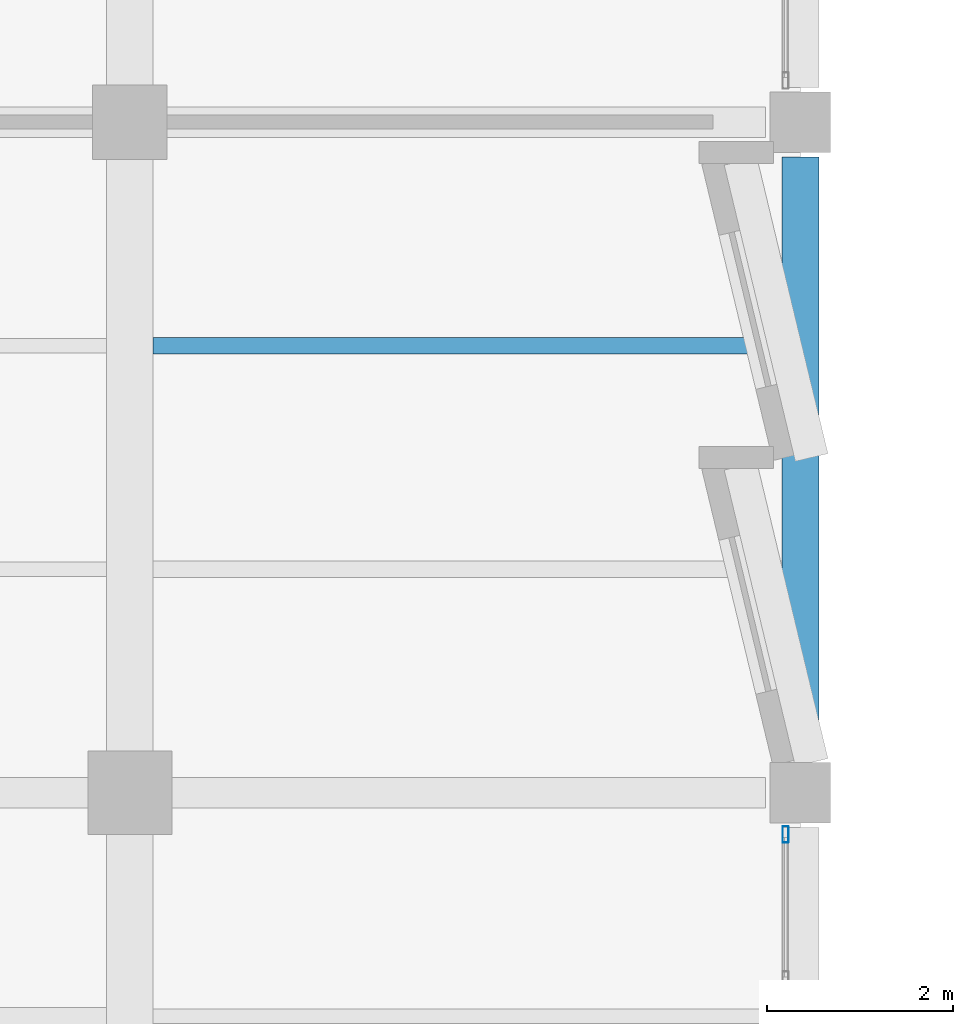
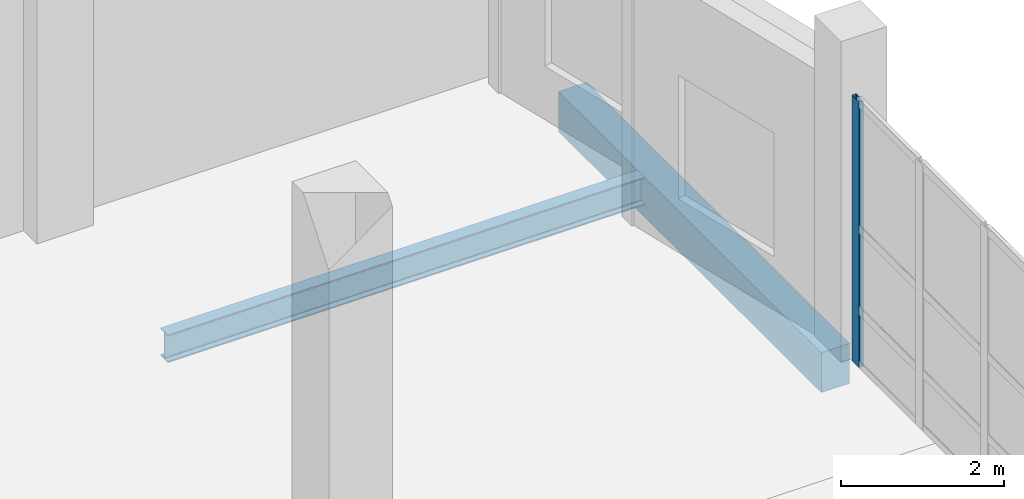
# One storey, part 43 of 127: 2 beams, 1 member, 1 element without a shape of its own.
"""IFC4 building model written with IfcOpenShell, lengths in metres."""

from ifc_helpers import new_model, si_unit, direction, frame, origin, origin_2d, place, context, subcontext, project, spatial, rectangle, hollow_rectangle, i_section, extrude, material, material_profile, profile_set, type_object, element, aggregate, save


model = new_model("IFC4")

# Units and contexts
model_context = context("Model", 3, precision=1e-05, world=origin(), true_north=direction((0.0, 1.0)))
body_context = subcontext(model_context, "Body", "Model", "MODEL_VIEW")
ifc_project = project(units=[si_unit("LENGTHUNIT", "METRE"), si_unit("AREAUNIT", "SQUARE_METRE"), si_unit("VOLUMEUNIT", "CUBIC_METRE"), si_unit("PLANEANGLEUNIT", "RADIAN"), si_unit("MASSUNIT", "GRAM", prefix="KILO")], contexts=[model_context])

# Site, building, storey
site_placement = place(None, origin())
site = spatial("IfcSite", under=ifc_project, at=site_placement, CompositionType="ELEMENT")
building_placement = place(site_placement, origin())
building = spatial("IfcBuilding", under=site, at=building_placement, Name="Kalmorath City Hall", CompositionType="ELEMENT")
storey_placement = place(building_placement, frame((0.0, 0.0, 5.39990234375)))
storey = spatial("IfcBuildingStorey", under=building, at=storey_placement, Name="L01", CompositionType="ELEMENT", Elevation=5.39990234375)

# Beam
ifc_material_1 = material(Name="Concrete C40/50", Category="concrete")
ifc_material_profile_1 = material_profile(ifc_material_1, rectangle(XDim=0.39990234375, YDim=0.60009765625, at=origin_2d()), Name="RC-BM-400X600")
ifc_profile_set_1 = profile_set([ifc_material_profile_1], Name="Concrete C40/50")
beam_type_1 = type_object("IfcBeamType", Name="Concrete edge beam 400x600", PredefinedType="SPANDREL", material=ifc_profile_set_1)
beam_1_placement = place(storey_placement, frame((28.800048828125, 65.175048828125, -0.6240234375), z_axis=(0.0, 1.0, 0.0), x_axis=(-1.0, 0.0, 0.0)))
element("IfcBeam", 1, at=beam_1_placement, inside=storey, type_object=beam_type_1, Name="L01 girder CB6 Y5/10-11", PredefinedType="SPANDREL", context=body_context, shape_type="SweptSolid", body=[
    extrude(rectangle(XDim=0.39990234375, YDim=0.60009765625, at=origin_2d()), origin(), (0.0, 0.0, 1.0), 6.449951171875),
])

# Curtain wall, member
ifc_material_2 = material(Name="Anodised aluminium and laminated glass", Category="aluminium")
curtain_wall_type = type_object("IfcCurtainWallType", Name="Unitised hurricane curtain wall 6370x3976 M1750", PredefinedType="NOTDEFINED", material=ifc_material_2)
curtain_wall_placement = place(storey_placement, origin())
curtain_wall = element("IfcCurtainWall", 2, at=curtain_wall_placement, inside=storey, type_object=curtain_wall_type, Name="L01 curtain wall CW-64X40M18 #110", PredefinedType="NOTDEFINED")
ifc_material_3 = material(Name="Anodised aluminium framing", Category="aluminium")
ifc_material_profile_2 = material_profile(ifc_material_3, hollow_rectangle(XDim=0.06494140625, YDim=0.179931640625, WallThickness=0.00390625, InnerFilletRadius=0.00390625, OuterFilletRadius=0.008056640625, at=origin_2d()), Name="ALU-MUL-180X65X4")
ifc_profile_set_2 = profile_set([ifc_material_profile_2], Name="Anodised aluminium framing")
member_type = type_object("IfcMemberType", Name="Curtain-wall courtyard mullion 180x65", PredefinedType="MULLION", material=ifc_profile_set_2)
member_placement = place(storey_placement, frame((28.639892578125, 64.3525390625, 0.0), z_axis=(0.0, 0.0, 1.0), x_axis=(1.0, 0.0, 0.0)))
member = element("IfcMember", 3, at=member_placement, type_object=member_type, Name="CW-64X40M18 mullion 1", PredefinedType="MULLION", context=body_context, shape_type="SweptSolid", body=[
    extrude(hollow_rectangle(XDim=0.06494140625, YDim=0.179931640625, WallThickness=0.00390625, InnerFilletRadius=0.00390625, OuterFilletRadius=0.008056640625, at=origin_2d()), origin(), (0.0, 0.0, 1.0), 3.97607421875),
])
aggregate(curtain_wall, [member])

# Beam
ifc_material_4 = material(Name="Steel ASTM A992 Grade 50", Category="steel")
ifc_material_profile_3 = material_profile(ifc_material_4, i_section(OverallWidth=0.180908203125, OverallDepth=0.4169921875, WebThickness=0.010986328125, FlangeThickness=0.018310546875, FilletRadius=0.012939453125, at=origin_2d()), Name="W16X57")
ifc_profile_set_3 = profile_set([ifc_material_profile_3], Name="Steel ASTM A992 Grade 50")
beam_type_2 = type_object("IfcBeamType", Name="Steel composite joist W16X57", PredefinedType="JOIST", material=ifc_profile_set_3)
beam_2_placement = place(storey_placement, frame((21.85009765625, 69.60009765625, -0.532470703125), z_axis=(1.0, 0.0, 0.0), x_axis=(0.0, 1.0, 0.0)))
element("IfcBeam", 4, at=beam_2_placement, inside=storey, type_object=beam_type_2, Name="L01 joist SJ5 4.10.2", PredefinedType="JOIST", context=body_context, shape_type="SweptSolid", body=[
    extrude(i_section(OverallWidth=0.180908203125, OverallDepth=0.4169921875, WebThickness=0.010986328125, FlangeThickness=0.018310546875, FilletRadius=0.012939453125, at=origin_2d()), origin(), (0.0, 0.0, 1.0), 6.75),
])

save(model, "model.ifc")
